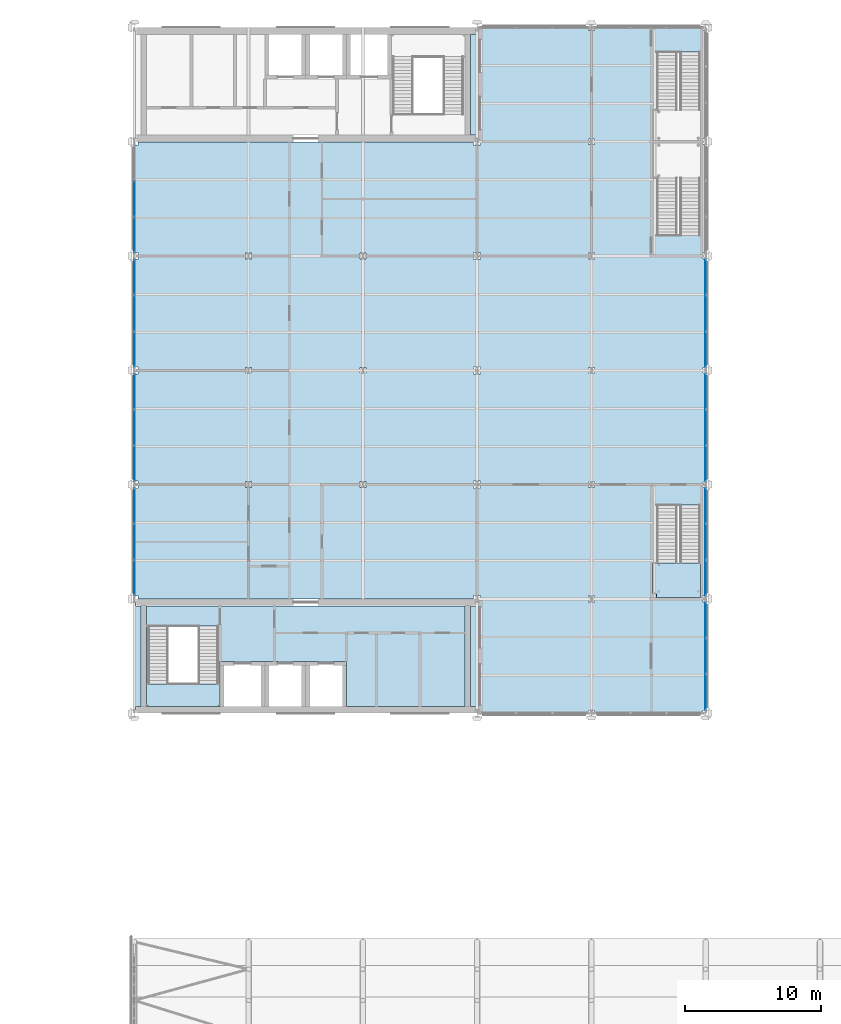
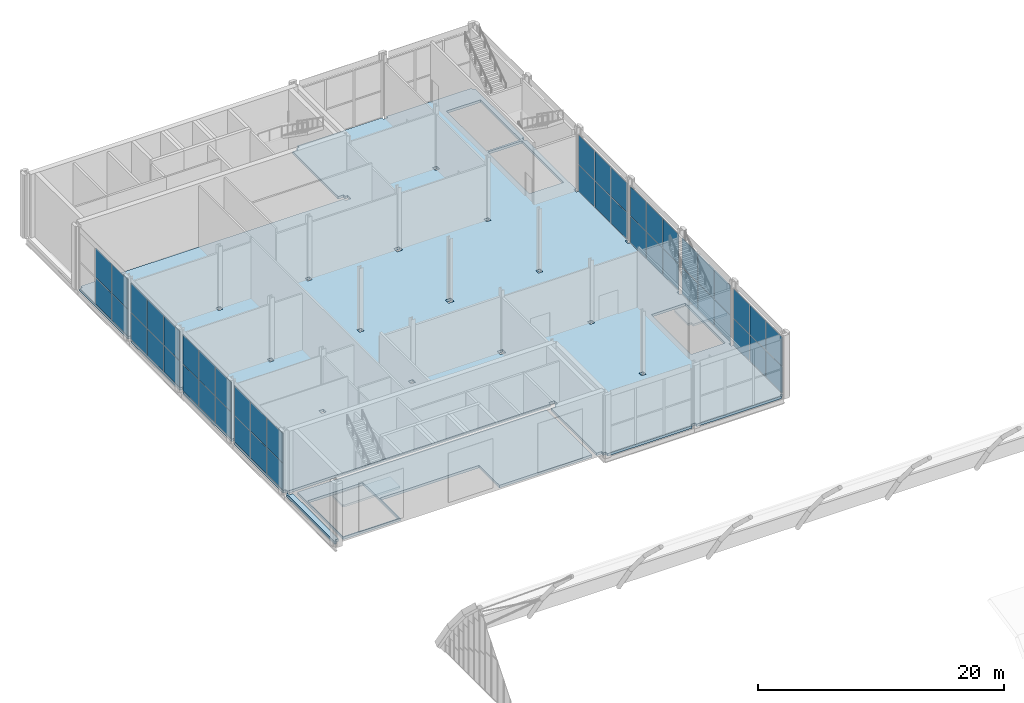
# One storey, part 60 of 77: 46 plates, 5 slabs, 10 elements without a shape of their own.
"""IFC4 building model written with IfcOpenShell, lengths in metres."""

from ifc_helpers import new_model, si_unit, direction, frame, origin, origin_2d, place, context, subcontext, project, spatial, polyline, rectangle, outline, extrude, material, layer, layer_set, type_object, element, aggregate, save


model = new_model("IFC4")

# Units and contexts
model_context = context("Model", 3, precision=1e-05, world=origin(), true_north=direction((0.0, 1.0)))
body_context = subcontext(model_context, "Body", "Model", "MODEL_VIEW")
ifc_project = project(units=[si_unit("LENGTHUNIT", "METRE"), si_unit("AREAUNIT", "SQUARE_METRE"), si_unit("VOLUMEUNIT", "CUBIC_METRE"), si_unit("PLANEANGLEUNIT", "RADIAN"), si_unit("MASSUNIT", "GRAM", prefix="KILO")], contexts=[model_context])

# Site, building, storey
site_placement = place(None, origin())
site = spatial("IfcSite", under=ifc_project, at=site_placement, CompositionType="ELEMENT")
building_placement = place(site_placement, origin())
building = spatial("IfcBuilding", under=site, at=building_placement, Name="Catenary Quay Ferry Terminal", CompositionType="ELEMENT")
storey_placement = place(building_placement, frame((0.0, 0.0, 10.800048828125)))
storey = spatial("IfcBuildingStorey", under=building, at=storey_placement, Name="L02", CompositionType="ELEMENT", Elevation=10.800048828125)

# Slabs
ifc_material_1 = material(Name="Concrete C35/45", Category="concrete")
ifc_layer_1 = layer(ifc_material_1, 0.25)
ifc_layer_set_1 = layer_set([ifc_layer_1], Name="Composite floor slab 250")
slab_type_1 = type_object("IfcSlabType", Name="Composite floor slab 250", PredefinedType="FLOOR", material=ifc_layer_set_1)
slab_1_placement = place(storey_placement, frame((0.0, 0.0, -0.25)))
element("IfcSlab", 1, at=slab_1_placement, inside=storey, type_object=slab_type_1, Name="L02 podium floor slab", PredefinedType="FLOOR", context=body_context, shape_type="SweptSolid", body=[
    extrude(outline(polyline([(67.199951171875, 159.81005859375), (66.989990234375, 159.81005859375), (66.989990234375, 159.60009765625), (59.010009765625, 159.60009765625), (59.010009765625, 159.81005859375), (58.590087890625, 159.81005859375), (58.590087890625, 159.60009765625), (50.659912109375, 159.60009765625), (50.659912109375, 159.860107421875), (50.403076171875, 159.860107421875), (50.403076171875, 160.110107421875), (49.909912109375, 160.110107421875), (49.909912109375, 167.489990234375), (50.403076171875, 167.489990234375), (50.403076171875, 167.739990234375), (50.659912109375, 167.739990234375), (50.659912109375, 168.260009765625), (50.139892578125, 168.260009765625), (50.139892578125, 168.010009765625), (25.4599609375, 168.010009765625), (25.4599609375, 168.260009765625), (25.199951171875, 168.260009765625), (25.199951171875, 176.139892578125), (25.4599609375, 176.139892578125), (25.4599609375, 176.659912109375), (25.199951171875, 176.659912109375), (25.199951171875, 184.5400390625), (25.4599609375, 184.5400390625), (25.4599609375, 185.06005859375), (25.199951171875, 185.06005859375), (25.199951171875, 192.93994140625), (25.4599609375, 192.93994140625), (25.4599609375, 193.4599609375), (25.199951171875, 193.4599609375), (25.199951171875, 201.340087890625), (25.4599609375, 201.340087890625), (25.4599609375, 201.590087890625), (50.139892578125, 201.590087890625), (50.139892578125, 201.340087890625), (50.659912109375, 201.340087890625), (50.659912109375, 201.860107421875), (50.403076171875, 201.860107421875), (50.403076171875, 202.110107421875), (49.909912109375, 202.110107421875), (49.909912109375, 209.489990234375), (50.403076171875, 209.489990234375), (50.403076171875, 209.739990234375), (50.659912109375, 209.739990234375), (50.659912109375, 210.0), (58.590087890625, 210.0), (58.590087890625, 209.7900390625), (59.010009765625, 209.7900390625), (59.010009765625, 210.0), (66.989990234375, 210.0), (66.989990234375, 209.7900390625), (67.199951171875, 209.7900390625), (67.199951171875, 201.81005859375), (66.989990234375, 201.81005859375), (66.989990234375, 201.389892578125), (67.199951171875, 201.389892578125), (67.199951171875, 193.409912109375), (66.989990234375, 193.409912109375), (66.989990234375, 192.989990234375), (67.199951171875, 192.989990234375), (67.199951171875, 185.010009765625), (66.989990234375, 185.010009765625), (66.989990234375, 184.590087890625), (67.199951171875, 184.590087890625), (67.199951171875, 176.610107421875), (66.989990234375, 176.610107421875), (66.989990234375, 176.18994140625), (67.199951171875, 176.18994140625), (67.199951171875, 168.2099609375), (66.989990234375, 168.2099609375), (66.989990234375, 167.7900390625), (67.199951171875, 167.7900390625), (67.199951171875, 159.81005859375)]), holes=[polyline([(33.386474609375, 176.1865234375), (33.8134765625, 176.1865234375), (33.8134765625, 176.613525390625), (33.386474609375, 176.613525390625), (33.386474609375, 176.1865234375)]), polyline([(33.386474609375, 184.58642578125), (33.8134765625, 184.58642578125), (33.8134765625, 185.013427734375), (33.386474609375, 185.013427734375), (33.386474609375, 184.58642578125)]), polyline([(33.386474609375, 192.986572265625), (33.8134765625, 192.986572265625), (33.8134765625, 193.41357421875), (33.386474609375, 193.41357421875), (33.386474609375, 192.986572265625)]), polyline([(41.78662109375, 176.1865234375), (42.21337890625, 176.1865234375), (42.21337890625, 176.613525390625), (41.78662109375, 176.613525390625), (41.78662109375, 176.1865234375)]), polyline([(50.139892578125, 176.139892578125), (50.659912109375, 176.139892578125), (50.659912109375, 176.659912109375), (50.139892578125, 176.659912109375), (50.139892578125, 176.139892578125)]), polyline([(41.78662109375, 184.58642578125), (42.21337890625, 184.58642578125), (42.21337890625, 185.013427734375), (41.78662109375, 185.013427734375), (41.78662109375, 184.58642578125)]), polyline([(50.659912109375, 184.5400390625), (50.659912109375, 185.06005859375), (50.139892578125, 185.06005859375), (50.139892578125, 184.5400390625), (50.659912109375, 184.5400390625)]), polyline([(41.78662109375, 192.986572265625), (42.21337890625, 192.986572265625), (42.21337890625, 193.41357421875), (41.78662109375, 193.41357421875), (41.78662109375, 192.986572265625)]), polyline([(50.139892578125, 192.93994140625), (50.659912109375, 192.93994140625), (50.659912109375, 193.4599609375), (50.139892578125, 193.4599609375), (50.139892578125, 192.93994140625)]), polyline([(58.590087890625, 167.7900390625), (59.010009765625, 167.7900390625), (59.010009765625, 168.2099609375), (58.590087890625, 168.2099609375), (58.590087890625, 167.7900390625)]), polyline([(63.60009765625, 168.39990234375), (66.800048828125, 168.39990234375), (66.800048828125, 174.89990234375), (63.60009765625, 174.89990234375), (63.60009765625, 168.39990234375)]), polyline([(58.590087890625, 176.18994140625), (59.010009765625, 176.18994140625), (59.010009765625, 176.610107421875), (58.590087890625, 176.610107421875), (58.590087890625, 176.18994140625)]), polyline([(58.590087890625, 184.590087890625), (59.010009765625, 184.590087890625), (59.010009765625, 185.010009765625), (58.590087890625, 185.010009765625), (58.590087890625, 184.590087890625)]), polyline([(58.590087890625, 192.989990234375), (59.010009765625, 192.989990234375), (59.010009765625, 193.409912109375), (58.590087890625, 193.409912109375), (58.590087890625, 192.989990234375)]), polyline([(63.60009765625, 194.699951171875), (66.800048828125, 194.699951171875), (66.800048828125, 201.5), (63.60009765625, 201.5), (63.60009765625, 194.699951171875)]), polyline([(58.590087890625, 201.389892578125), (59.010009765625, 201.389892578125), (59.010009765625, 201.81005859375), (58.590087890625, 201.81005859375), (58.590087890625, 201.389892578125)]), polyline([(63.60009765625, 201.699951171875), (66.800048828125, 201.699951171875), (66.800048828125, 208.199951171875), (63.60009765625, 208.199951171875), (63.60009765625, 201.699951171875)])]), origin(), (0.0, 0.0, 1.0), 0.25),
])
slab_2_placement = place(storey_placement, frame((0.0, 0.0, -0.25)))
element("IfcSlab", 2, at=slab_2_placement, inside=storey, type_object=slab_type_1, Name="L02 podium floor slab", PredefinedType="FLOOR", context=body_context, shape_type="SweptSolid", body=[
    extrude(outline(polyline([(25.199951171875, 167.739990234375), (25.340087890625, 167.739990234375), (25.340087890625, 167.489990234375), (25.68994140625, 167.489990234375), (25.68994140625, 160.110107421875), (25.340087890625, 160.110107421875), (25.340087890625, 159.860107421875), (25.199951171875, 159.860107421875), (25.199951171875, 167.739990234375)])), origin(), (0.0, 0.0, 1.0), 0.25),
])
slab_3_placement = place(storey_placement, frame((0.0, 0.0, -0.25)))
element("IfcSlab", 3, at=slab_3_placement, inside=storey, type_object=slab_type_1, Name="L02 podium floor slab", PredefinedType="FLOOR", context=body_context, shape_type="SweptSolid", body=[
    extrude(outline(polyline([(31.5, 163.39990234375), (31.5, 160.110107421875), (26.110107421875, 160.110107421875), (26.110107421875, 167.489990234375), (49.489990234375, 167.489990234375), (49.489990234375, 160.110107421875), (40.800048828125, 160.110107421875), (40.800048828125, 163.39990234375), (37.800048828125, 163.39990234375), (34.800048828125, 163.39990234375), (31.5, 163.39990234375)]), holes=[polyline([(31.39990234375, 160.199951171875), (31.39990234375, 166.0), (26.199951171875, 166.0), (26.199951171875, 160.199951171875), (31.39990234375, 160.199951171875)])]), origin(), (0.0, 0.0, 1.0), 0.25),
])

# Curtain wall, plates
ifc_material_2 = material(Name="Aluminium and glass", Category="aluminium")
curtain_wall_type = type_object("IfcCurtainWallType", Name="CWW2", PredefinedType="NOTDEFINED", material=ifc_material_2)
curtain_wall_1_placement = place(storey_placement, origin())
curtain_wall_1 = element("IfcCurtainWall", 4, at=curtain_wall_1_placement, inside=storey, type_object=curtain_wall_type, Name="Wing curtain wall CW130", PredefinedType="NOTDEFINED")
ifc_material_3 = material(Name="Glass", Category="glass")
ifc_layer_2 = layer(ifc_material_3, 0.035888671875)
ifc_layer_set_2 = layer_set([ifc_layer_2], Name="PN4")
plate_type = type_object("IfcPlateType", Name="PN4", PredefinedType="CURTAIN_PANEL", material=ifc_layer_set_2)
plate_1_placement = place(storey_placement, frame((67.199951171875, 161.15087890625, 0.06005859375), z_axis=(0.0, 0.0, 1.0), x_axis=(0.0, 1.0, 0.0)))
plate_1 = element("IfcPlate", 5, at=plate_1_placement, type_object=plate_type, Name="CW130 panel 1.1", PredefinedType="CURTAIN_PANEL", context=body_context, shape_type="SweptSolid", body=[
    extrude(rectangle(XDim=2.561767578125, YDim=0.035888671875, at=origin_2d()), origin(), (0.0, 0.0, 1.0), 2.610107421875),
])
plate_2_placement = place(storey_placement, frame((67.199951171875, 161.15087890625, 2.72998046875), z_axis=(0.0, 0.0, 1.0), x_axis=(0.0, 1.0, 0.0)))
plate_2 = element("IfcPlate", 6, at=plate_2_placement, type_object=plate_type, Name="CW130 panel 1.2", PredefinedType="CURTAIN_PANEL", context=body_context, shape_type="SweptSolid", body=[
    extrude(rectangle(XDim=2.561767578125, YDim=0.035888671875, at=origin_2d()), origin(), (0.0, 0.0, 1.0), 2.909912109375),
])
plate_3_placement = place(storey_placement, frame((67.199951171875, 163.800048828125, 0.06005859375), z_axis=(0.0, 0.0, 1.0), x_axis=(0.0, 1.0, 0.0)))
plate_3 = element("IfcPlate", 7, at=plate_3_placement, type_object=plate_type, Name="CW130 panel 2.1", PredefinedType="CURTAIN_PANEL", context=body_context, shape_type="SweptSolid", body=[
    extrude(rectangle(XDim=2.5966796875, YDim=0.035888671875, at=origin_2d()), origin(), (0.0, 0.0, 1.0), 2.610107421875),
])
plate_4_placement = place(storey_placement, frame((67.199951171875, 163.800048828125, 2.72998046875), z_axis=(0.0, 0.0, 1.0), x_axis=(0.0, 1.0, 0.0)))
plate_4 = element("IfcPlate", 8, at=plate_4_placement, type_object=plate_type, Name="CW130 panel 2.2", PredefinedType="CURTAIN_PANEL", context=body_context, shape_type="SweptSolid", body=[
    extrude(rectangle(XDim=2.5966796875, YDim=0.035888671875, at=origin_2d()), origin(), (0.0, 0.0, 1.0), 2.909912109375),
])
plate_5_placement = place(storey_placement, frame((67.199951171875, 166.44921875, 0.06005859375), z_axis=(0.0, 0.0, 1.0), x_axis=(0.0, 1.0, 0.0)))
plate_5 = element("IfcPlate", 9, at=plate_5_placement, type_object=plate_type, Name="CW130 panel 3.1", PredefinedType="CURTAIN_PANEL", context=body_context, shape_type="SweptSolid", body=[
    extrude(rectangle(XDim=2.561767578125, YDim=0.035888671875, at=origin_2d()), origin(), (0.0, 0.0, 1.0), 2.610107421875),
])
plate_6_placement = place(storey_placement, frame((67.199951171875, 166.44921875, 2.72998046875), z_axis=(0.0, 0.0, 1.0), x_axis=(0.0, 1.0, 0.0)))
plate_6 = element("IfcPlate", 10, at=plate_6_placement, type_object=plate_type, Name="CW130 panel 3.2", PredefinedType="CURTAIN_PANEL", context=body_context, shape_type="SweptSolid", body=[
    extrude(rectangle(XDim=2.561767578125, YDim=0.035888671875, at=origin_2d()), origin(), (0.0, 0.0, 1.0), 2.909912109375),
])
aggregate(curtain_wall_1, [plate_1, plate_2, plate_3, plate_4, plate_5, plate_6])

curtain_wall_2_placement = place(storey_placement, origin())
curtain_wall_2 = element("IfcCurtainWall", 11, at=curtain_wall_2_placement, inside=storey, type_object=curtain_wall_type, Name="Wing curtain wall CW131", PredefinedType="NOTDEFINED")
plate_7_placement = place(storey_placement, frame((67.199951171875, 169.55078125, 0.06005859375), z_axis=(0.0, 0.0, 1.0), x_axis=(0.0, 1.0, 0.0)))
plate_7 = element("IfcPlate", 12, at=plate_7_placement, type_object=plate_type, Name="CW131 panel 1.1", PredefinedType="CURTAIN_PANEL", context=body_context, shape_type="SweptSolid", body=[
    extrude(rectangle(XDim=2.561767578125, YDim=0.035888671875, at=origin_2d()), origin(), (0.0, 0.0, 1.0), 2.610107421875),
])
plate_8_placement = place(storey_placement, frame((67.199951171875, 169.55078125, 2.72998046875), z_axis=(0.0, 0.0, 1.0), x_axis=(0.0, 1.0, 0.0)))
plate_8 = element("IfcPlate", 13, at=plate_8_placement, type_object=plate_type, Name="CW131 panel 1.2", PredefinedType="CURTAIN_PANEL", context=body_context, shape_type="SweptSolid", body=[
    extrude(rectangle(XDim=2.561767578125, YDim=0.035888671875, at=origin_2d()), origin(), (0.0, 0.0, 1.0), 2.909912109375),
])
plate_9_placement = place(storey_placement, frame((67.199951171875, 172.199951171875, 0.06005859375), z_axis=(0.0, 0.0, 1.0), x_axis=(0.0, 1.0, 0.0)))
plate_9 = element("IfcPlate", 14, at=plate_9_placement, type_object=plate_type, Name="CW131 panel 2.1", PredefinedType="CURTAIN_PANEL", context=body_context, shape_type="SweptSolid", body=[
    extrude(rectangle(XDim=2.5966796875, YDim=0.035888671875, at=origin_2d()), origin(), (0.0, 0.0, 1.0), 2.610107421875),
])
plate_10_placement = place(storey_placement, frame((67.199951171875, 172.199951171875, 2.72998046875), z_axis=(0.0, 0.0, 1.0), x_axis=(0.0, 1.0, 0.0)))
plate_10 = element("IfcPlate", 15, at=plate_10_placement, type_object=plate_type, Name="CW131 panel 2.2", PredefinedType="CURTAIN_PANEL", context=body_context, shape_type="SweptSolid", body=[
    extrude(rectangle(XDim=2.5966796875, YDim=0.035888671875, at=origin_2d()), origin(), (0.0, 0.0, 1.0), 2.909912109375),
])
plate_11_placement = place(storey_placement, frame((67.199951171875, 174.84912109375, 0.06005859375), z_axis=(0.0, 0.0, 1.0), x_axis=(0.0, 1.0, 0.0)))
plate_11 = element("IfcPlate", 16, at=plate_11_placement, type_object=plate_type, Name="CW131 panel 3.1", PredefinedType="CURTAIN_PANEL", context=body_context, shape_type="SweptSolid", body=[
    extrude(rectangle(XDim=2.561767578125, YDim=0.035888671875, at=origin_2d()), origin(), (0.0, 0.0, 1.0), 2.610107421875),
])
plate_12_placement = place(storey_placement, frame((67.199951171875, 174.84912109375, 2.72998046875), z_axis=(0.0, 0.0, 1.0), x_axis=(0.0, 1.0, 0.0)))
plate_12 = element("IfcPlate", 17, at=plate_12_placement, type_object=plate_type, Name="CW131 panel 3.2", PredefinedType="CURTAIN_PANEL", context=body_context, shape_type="SweptSolid", body=[
    extrude(rectangle(XDim=2.561767578125, YDim=0.035888671875, at=origin_2d()), origin(), (0.0, 0.0, 1.0), 2.909912109375),
])
aggregate(curtain_wall_2, [plate_7, plate_8, plate_9, plate_10, plate_11, plate_12])

curtain_wall_3_placement = place(storey_placement, origin())
curtain_wall_3 = element("IfcCurtainWall", 18, at=curtain_wall_3_placement, inside=storey, type_object=curtain_wall_type, Name="Wing curtain wall CW132", PredefinedType="NOTDEFINED")
plate_13_placement = place(storey_placement, frame((67.199951171875, 177.950927734375, 0.06005859375), z_axis=(0.0, 0.0, 1.0), x_axis=(0.0, 1.0, 0.0)))
plate_13 = element("IfcPlate", 19, at=plate_13_placement, type_object=plate_type, Name="CW132 panel 1.1", PredefinedType="CURTAIN_PANEL", context=body_context, shape_type="SweptSolid", body=[
    extrude(rectangle(XDim=2.561767578125, YDim=0.035888671875, at=origin_2d()), origin(), (0.0, 0.0, 1.0), 2.610107421875),
])
plate_14_placement = place(storey_placement, frame((67.199951171875, 177.950927734375, 2.72998046875), z_axis=(0.0, 0.0, 1.0), x_axis=(0.0, 1.0, 0.0)))
plate_14 = element("IfcPlate", 20, at=plate_14_placement, type_object=plate_type, Name="CW132 panel 1.2", PredefinedType="CURTAIN_PANEL", context=body_context, shape_type="SweptSolid", body=[
    extrude(rectangle(XDim=2.561767578125, YDim=0.035888671875, at=origin_2d()), origin(), (0.0, 0.0, 1.0), 2.909912109375),
])
plate_15_placement = place(storey_placement, frame((67.199951171875, 180.60009765625, 0.06005859375), z_axis=(0.0, 0.0, 1.0), x_axis=(0.0, 1.0, 0.0)))
plate_15 = element("IfcPlate", 21, at=plate_15_placement, type_object=plate_type, Name="CW132 panel 2.1", PredefinedType="CURTAIN_PANEL", context=body_context, shape_type="SweptSolid", body=[
    extrude(rectangle(XDim=2.5966796875, YDim=0.035888671875, at=origin_2d()), origin(), (0.0, 0.0, 1.0), 2.610107421875),
])
plate_16_placement = place(storey_placement, frame((67.199951171875, 180.60009765625, 2.72998046875), z_axis=(0.0, 0.0, 1.0), x_axis=(0.0, 1.0, 0.0)))
plate_16 = element("IfcPlate", 22, at=plate_16_placement, type_object=plate_type, Name="CW132 panel 2.2", PredefinedType="CURTAIN_PANEL", context=body_context, shape_type="SweptSolid", body=[
    extrude(rectangle(XDim=2.5966796875, YDim=0.035888671875, at=origin_2d()), origin(), (0.0, 0.0, 1.0), 2.909912109375),
])
plate_17_placement = place(storey_placement, frame((67.199951171875, 183.249267578125, 0.06005859375), z_axis=(0.0, 0.0, 1.0), x_axis=(0.0, 1.0, 0.0)))
plate_17 = element("IfcPlate", 23, at=plate_17_placement, type_object=plate_type, Name="CW132 panel 3.1", PredefinedType="CURTAIN_PANEL", context=body_context, shape_type="SweptSolid", body=[
    extrude(rectangle(XDim=2.561767578125, YDim=0.035888671875, at=origin_2d()), origin(), (0.0, 0.0, 1.0), 2.610107421875),
])
plate_18_placement = place(storey_placement, frame((67.199951171875, 183.249267578125, 2.72998046875), z_axis=(0.0, 0.0, 1.0), x_axis=(0.0, 1.0, 0.0)))
plate_18 = element("IfcPlate", 24, at=plate_18_placement, type_object=plate_type, Name="CW132 panel 3.2", PredefinedType="CURTAIN_PANEL", context=body_context, shape_type="SweptSolid", body=[
    extrude(rectangle(XDim=2.561767578125, YDim=0.035888671875, at=origin_2d()), origin(), (0.0, 0.0, 1.0), 2.909912109375),
])
aggregate(curtain_wall_3, [plate_13, plate_14, plate_15, plate_16, plate_17, plate_18])

curtain_wall_4_placement = place(storey_placement, origin())
curtain_wall_4 = element("IfcCurtainWall", 25, at=curtain_wall_4_placement, inside=storey, type_object=curtain_wall_type, Name="Wing curtain wall CW133", PredefinedType="NOTDEFINED")
plate_19_placement = place(storey_placement, frame((67.199951171875, 186.350830078125, 0.06005859375), z_axis=(0.0, 0.0, 1.0), x_axis=(0.0, 1.0, 0.0)))
plate_19 = element("IfcPlate", 26, at=plate_19_placement, type_object=plate_type, Name="CW133 panel 1.1", PredefinedType="CURTAIN_PANEL", context=body_context, shape_type="SweptSolid", body=[
    extrude(rectangle(XDim=2.561767578125, YDim=0.035888671875, at=origin_2d()), origin(), (0.0, 0.0, 1.0), 2.610107421875),
])
plate_20_placement = place(storey_placement, frame((67.199951171875, 186.350830078125, 2.72998046875), z_axis=(0.0, 0.0, 1.0), x_axis=(0.0, 1.0, 0.0)))
plate_20 = element("IfcPlate", 27, at=plate_20_placement, type_object=plate_type, Name="CW133 panel 1.2", PredefinedType="CURTAIN_PANEL", context=body_context, shape_type="SweptSolid", body=[
    extrude(rectangle(XDim=2.561767578125, YDim=0.035888671875, at=origin_2d()), origin(), (0.0, 0.0, 1.0), 2.909912109375),
])
plate_21_placement = place(storey_placement, frame((67.199951171875, 189.0, 0.06005859375), z_axis=(0.0, 0.0, 1.0), x_axis=(0.0, 1.0, 0.0)))
plate_21 = element("IfcPlate", 28, at=plate_21_placement, type_object=plate_type, Name="CW133 panel 2.1", PredefinedType="CURTAIN_PANEL", context=body_context, shape_type="SweptSolid", body=[
    extrude(rectangle(XDim=2.5966796875, YDim=0.035888671875, at=origin_2d()), origin(), (0.0, 0.0, 1.0), 2.610107421875),
])
plate_22_placement = place(storey_placement, frame((67.199951171875, 189.0, 2.72998046875), z_axis=(0.0, 0.0, 1.0), x_axis=(0.0, 1.0, 0.0)))
plate_22 = element("IfcPlate", 29, at=plate_22_placement, type_object=plate_type, Name="CW133 panel 2.2", PredefinedType="CURTAIN_PANEL", context=body_context, shape_type="SweptSolid", body=[
    extrude(rectangle(XDim=2.5966796875, YDim=0.035888671875, at=origin_2d()), origin(), (0.0, 0.0, 1.0), 2.909912109375),
])
plate_23_placement = place(storey_placement, frame((67.199951171875, 191.649169921875, 0.06005859375), z_axis=(0.0, 0.0, 1.0), x_axis=(0.0, 1.0, 0.0)))
plate_23 = element("IfcPlate", 30, at=plate_23_placement, type_object=plate_type, Name="CW133 panel 3.1", PredefinedType="CURTAIN_PANEL", context=body_context, shape_type="SweptSolid", body=[
    extrude(rectangle(XDim=2.561767578125, YDim=0.035888671875, at=origin_2d()), origin(), (0.0, 0.0, 1.0), 2.610107421875),
])
plate_24_placement = place(storey_placement, frame((67.199951171875, 191.649169921875, 2.72998046875), z_axis=(0.0, 0.0, 1.0), x_axis=(0.0, 1.0, 0.0)))
plate_24 = element("IfcPlate", 31, at=plate_24_placement, type_object=plate_type, Name="CW133 panel 3.2", PredefinedType="CURTAIN_PANEL", context=body_context, shape_type="SweptSolid", body=[
    extrude(rectangle(XDim=2.561767578125, YDim=0.035888671875, at=origin_2d()), origin(), (0.0, 0.0, 1.0), 2.909912109375),
])
aggregate(curtain_wall_4, [plate_19, plate_20, plate_21, plate_22, plate_23, plate_24])

curtain_wall_5_placement = place(storey_placement, origin())
curtain_wall_5 = element("IfcCurtainWall", 32, at=curtain_wall_5_placement, inside=storey, type_object=curtain_wall_type, Name="Wing curtain wall CW138", PredefinedType="NOTDEFINED")
plate_25_placement = place(storey_placement, frame((25.199951171875, 169.55078125, 0.06005859375), z_axis=(0.0, 0.0, 1.0), x_axis=(0.0, 1.0, 0.0)))
plate_25 = element("IfcPlate", 33, at=plate_25_placement, type_object=plate_type, Name="CW138 panel 1.1", PredefinedType="CURTAIN_PANEL", context=body_context, shape_type="SweptSolid", body=[
    extrude(rectangle(XDim=2.561767578125, YDim=0.035888671875, at=origin_2d()), origin(), (0.0, 0.0, 1.0), 2.610107421875),
])
plate_26_placement = place(storey_placement, frame((25.199951171875, 169.55078125, 2.72998046875), z_axis=(0.0, 0.0, 1.0), x_axis=(0.0, 1.0, 0.0)))
plate_26 = element("IfcPlate", 34, at=plate_26_placement, type_object=plate_type, Name="CW138 panel 1.2", PredefinedType="CURTAIN_PANEL", context=body_context, shape_type="SweptSolid", body=[
    extrude(rectangle(XDim=2.561767578125, YDim=0.035888671875, at=origin_2d()), origin(), (0.0, 0.0, 1.0), 2.909912109375),
])
plate_27_placement = place(storey_placement, frame((25.199951171875, 172.199951171875, 0.06005859375), z_axis=(0.0, 0.0, 1.0), x_axis=(0.0, 1.0, 0.0)))
plate_27 = element("IfcPlate", 35, at=plate_27_placement, type_object=plate_type, Name="CW138 panel 2.1", PredefinedType="CURTAIN_PANEL", context=body_context, shape_type="SweptSolid", body=[
    extrude(rectangle(XDim=2.5966796875, YDim=0.035888671875, at=origin_2d()), origin(), (0.0, 0.0, 1.0), 2.610107421875),
])
plate_28_placement = place(storey_placement, frame((25.199951171875, 172.199951171875, 2.72998046875), z_axis=(0.0, 0.0, 1.0), x_axis=(0.0, 1.0, 0.0)))
plate_28 = element("IfcPlate", 36, at=plate_28_placement, type_object=plate_type, Name="CW138 panel 2.2", PredefinedType="CURTAIN_PANEL", context=body_context, shape_type="SweptSolid", body=[
    extrude(rectangle(XDim=2.5966796875, YDim=0.035888671875, at=origin_2d()), origin(), (0.0, 0.0, 1.0), 2.909912109375),
])
plate_29_placement = place(storey_placement, frame((25.199951171875, 174.84912109375, 0.06005859375), z_axis=(0.0, 0.0, 1.0), x_axis=(0.0, 1.0, 0.0)))
plate_29 = element("IfcPlate", 37, at=plate_29_placement, type_object=plate_type, Name="CW138 panel 3.1", PredefinedType="CURTAIN_PANEL", context=body_context, shape_type="SweptSolid", body=[
    extrude(rectangle(XDim=2.561767578125, YDim=0.035888671875, at=origin_2d()), origin(), (0.0, 0.0, 1.0), 2.610107421875),
])
plate_30_placement = place(storey_placement, frame((25.199951171875, 174.84912109375, 2.72998046875), z_axis=(0.0, 0.0, 1.0), x_axis=(0.0, 1.0, 0.0)))
plate_30 = element("IfcPlate", 38, at=plate_30_placement, type_object=plate_type, Name="CW138 panel 3.2", PredefinedType="CURTAIN_PANEL", context=body_context, shape_type="SweptSolid", body=[
    extrude(rectangle(XDim=2.561767578125, YDim=0.035888671875, at=origin_2d()), origin(), (0.0, 0.0, 1.0), 2.909912109375),
])
aggregate(curtain_wall_5, [plate_25, plate_26, plate_27, plate_28, plate_29, plate_30])

curtain_wall_6_placement = place(storey_placement, origin())
curtain_wall_6 = element("IfcCurtainWall", 39, at=curtain_wall_6_placement, inside=storey, type_object=curtain_wall_type, Name="Wing curtain wall CW139", PredefinedType="NOTDEFINED")
plate_31_placement = place(storey_placement, frame((25.199951171875, 177.950927734375, 0.06005859375), z_axis=(0.0, 0.0, 1.0), x_axis=(0.0, 1.0, 0.0)))
plate_31 = element("IfcPlate", 40, at=plate_31_placement, type_object=plate_type, Name="CW139 panel 1.1", PredefinedType="CURTAIN_PANEL", context=body_context, shape_type="SweptSolid", body=[
    extrude(rectangle(XDim=2.561767578125, YDim=0.035888671875, at=origin_2d()), origin(), (0.0, 0.0, 1.0), 2.610107421875),
])
plate_32_placement = place(storey_placement, frame((25.199951171875, 177.950927734375, 2.72998046875), z_axis=(0.0, 0.0, 1.0), x_axis=(0.0, 1.0, 0.0)))
plate_32 = element("IfcPlate", 41, at=plate_32_placement, type_object=plate_type, Name="CW139 panel 1.2", PredefinedType="CURTAIN_PANEL", context=body_context, shape_type="SweptSolid", body=[
    extrude(rectangle(XDim=2.561767578125, YDim=0.035888671875, at=origin_2d()), origin(), (0.0, 0.0, 1.0), 2.909912109375),
])
plate_33_placement = place(storey_placement, frame((25.199951171875, 180.60009765625, 0.06005859375), z_axis=(0.0, 0.0, 1.0), x_axis=(0.0, 1.0, 0.0)))
plate_33 = element("IfcPlate", 42, at=plate_33_placement, type_object=plate_type, Name="CW139 panel 2.1", PredefinedType="CURTAIN_PANEL", context=body_context, shape_type="SweptSolid", body=[
    extrude(rectangle(XDim=2.5966796875, YDim=0.035888671875, at=origin_2d()), origin(), (0.0, 0.0, 1.0), 2.610107421875),
])
plate_34_placement = place(storey_placement, frame((25.199951171875, 180.60009765625, 2.72998046875), z_axis=(0.0, 0.0, 1.0), x_axis=(0.0, 1.0, 0.0)))
plate_34 = element("IfcPlate", 43, at=plate_34_placement, type_object=plate_type, Name="CW139 panel 2.2", PredefinedType="CURTAIN_PANEL", context=body_context, shape_type="SweptSolid", body=[
    extrude(rectangle(XDim=2.5966796875, YDim=0.035888671875, at=origin_2d()), origin(), (0.0, 0.0, 1.0), 2.909912109375),
])
plate_35_placement = place(storey_placement, frame((25.199951171875, 183.249267578125, 0.06005859375), z_axis=(0.0, 0.0, 1.0), x_axis=(0.0, 1.0, 0.0)))
plate_35 = element("IfcPlate", 44, at=plate_35_placement, type_object=plate_type, Name="CW139 panel 3.1", PredefinedType="CURTAIN_PANEL", context=body_context, shape_type="SweptSolid", body=[
    extrude(rectangle(XDim=2.561767578125, YDim=0.035888671875, at=origin_2d()), origin(), (0.0, 0.0, 1.0), 2.610107421875),
])
plate_36_placement = place(storey_placement, frame((25.199951171875, 183.249267578125, 2.72998046875), z_axis=(0.0, 0.0, 1.0), x_axis=(0.0, 1.0, 0.0)))
plate_36 = element("IfcPlate", 45, at=plate_36_placement, type_object=plate_type, Name="CW139 panel 3.2", PredefinedType="CURTAIN_PANEL", context=body_context, shape_type="SweptSolid", body=[
    extrude(rectangle(XDim=2.561767578125, YDim=0.035888671875, at=origin_2d()), origin(), (0.0, 0.0, 1.0), 2.909912109375),
])
aggregate(curtain_wall_6, [plate_31, plate_32, plate_33, plate_34, plate_35, plate_36])

curtain_wall_7_placement = place(storey_placement, origin())
curtain_wall_7 = element("IfcCurtainWall", 46, at=curtain_wall_7_placement, inside=storey, type_object=curtain_wall_type, Name="Wing curtain wall CW140", PredefinedType="NOTDEFINED")
plate_37_placement = place(storey_placement, frame((25.199951171875, 186.350830078125, 0.06005859375), z_axis=(0.0, 0.0, 1.0), x_axis=(0.0, 1.0, 0.0)))
plate_37 = element("IfcPlate", 47, at=plate_37_placement, type_object=plate_type, Name="CW140 panel 1.1", PredefinedType="CURTAIN_PANEL", context=body_context, shape_type="SweptSolid", body=[
    extrude(rectangle(XDim=2.561767578125, YDim=0.035888671875, at=origin_2d()), origin(), (0.0, 0.0, 1.0), 2.610107421875),
])
plate_38_placement = place(storey_placement, frame((25.199951171875, 186.350830078125, 2.72998046875), z_axis=(0.0, 0.0, 1.0), x_axis=(0.0, 1.0, 0.0)))
plate_38 = element("IfcPlate", 48, at=plate_38_placement, type_object=plate_type, Name="CW140 panel 1.2", PredefinedType="CURTAIN_PANEL", context=body_context, shape_type="SweptSolid", body=[
    extrude(rectangle(XDim=2.561767578125, YDim=0.035888671875, at=origin_2d()), origin(), (0.0, 0.0, 1.0), 2.909912109375),
])
plate_39_placement = place(storey_placement, frame((25.199951171875, 189.0, 0.06005859375), z_axis=(0.0, 0.0, 1.0), x_axis=(0.0, 1.0, 0.0)))
plate_39 = element("IfcPlate", 49, at=plate_39_placement, type_object=plate_type, Name="CW140 panel 2.1", PredefinedType="CURTAIN_PANEL", context=body_context, shape_type="SweptSolid", body=[
    extrude(rectangle(XDim=2.5966796875, YDim=0.035888671875, at=origin_2d()), origin(), (0.0, 0.0, 1.0), 2.610107421875),
])
plate_40_placement = place(storey_placement, frame((25.199951171875, 189.0, 2.72998046875), z_axis=(0.0, 0.0, 1.0), x_axis=(0.0, 1.0, 0.0)))
plate_40 = element("IfcPlate", 50, at=plate_40_placement, type_object=plate_type, Name="CW140 panel 2.2", PredefinedType="CURTAIN_PANEL", context=body_context, shape_type="SweptSolid", body=[
    extrude(rectangle(XDim=2.5966796875, YDim=0.035888671875, at=origin_2d()), origin(), (0.0, 0.0, 1.0), 2.909912109375),
])
plate_41_placement = place(storey_placement, frame((25.199951171875, 191.649169921875, 0.06005859375), z_axis=(0.0, 0.0, 1.0), x_axis=(0.0, 1.0, 0.0)))
plate_41 = element("IfcPlate", 51, at=plate_41_placement, type_object=plate_type, Name="CW140 panel 3.1", PredefinedType="CURTAIN_PANEL", context=body_context, shape_type="SweptSolid", body=[
    extrude(rectangle(XDim=2.561767578125, YDim=0.035888671875, at=origin_2d()), origin(), (0.0, 0.0, 1.0), 2.610107421875),
])
plate_42_placement = place(storey_placement, frame((25.199951171875, 191.649169921875, 2.72998046875), z_axis=(0.0, 0.0, 1.0), x_axis=(0.0, 1.0, 0.0)))
plate_42 = element("IfcPlate", 52, at=plate_42_placement, type_object=plate_type, Name="CW140 panel 3.2", PredefinedType="CURTAIN_PANEL", context=body_context, shape_type="SweptSolid", body=[
    extrude(rectangle(XDim=2.561767578125, YDim=0.035888671875, at=origin_2d()), origin(), (0.0, 0.0, 1.0), 2.909912109375),
])
aggregate(curtain_wall_7, [plate_37, plate_38, plate_39, plate_40, plate_41, plate_42])

curtain_wall_8_placement = place(storey_placement, origin())
curtain_wall_8 = element("IfcCurtainWall", 53, at=curtain_wall_8_placement, inside=storey, type_object=curtain_wall_type, Name="Wing curtain wall CW141", PredefinedType="NOTDEFINED")
plate_43_placement = place(storey_placement, frame((25.199951171875, 194.750732421875, 0.06005859375), z_axis=(0.0, 0.0, 1.0), x_axis=(0.0, 1.0, 0.0)))
plate_43 = element("IfcPlate", 54, at=plate_43_placement, type_object=plate_type, Name="CW141 panel 1.1", PredefinedType="CURTAIN_PANEL", context=body_context, shape_type="SweptSolid", body=[
    extrude(rectangle(XDim=2.561767578125, YDim=0.035888671875, at=origin_2d()), origin(), (0.0, 0.0, 1.0), 2.610107421875),
])
plate_44_placement = place(storey_placement, frame((25.199951171875, 194.750732421875, 2.72998046875), z_axis=(0.0, 0.0, 1.0), x_axis=(0.0, 1.0, 0.0)))
plate_44 = element("IfcPlate", 55, at=plate_44_placement, type_object=plate_type, Name="CW141 panel 1.2", PredefinedType="CURTAIN_PANEL", context=body_context, shape_type="SweptSolid", body=[
    extrude(rectangle(XDim=2.561767578125, YDim=0.035888671875, at=origin_2d()), origin(), (0.0, 0.0, 1.0), 2.909912109375),
])
plate_45_placement = place(storey_placement, frame((25.199951171875, 197.39990234375, 0.06005859375), z_axis=(0.0, 0.0, 1.0), x_axis=(0.0, 1.0, 0.0)))
plate_45 = element("IfcPlate", 56, at=plate_45_placement, type_object=plate_type, Name="CW141 panel 2.1", PredefinedType="CURTAIN_PANEL", context=body_context, shape_type="SweptSolid", body=[
    extrude(rectangle(XDim=2.5966796875, YDim=0.035888671875, at=origin_2d()), origin(), (0.0, 0.0, 1.0), 2.610107421875),
])
plate_46_placement = place(storey_placement, frame((25.199951171875, 197.39990234375, 2.72998046875), z_axis=(0.0, 0.0, 1.0), x_axis=(0.0, 1.0, 0.0)))
plate_46 = element("IfcPlate", 57, at=plate_46_placement, type_object=plate_type, Name="CW141 panel 2.2", PredefinedType="CURTAIN_PANEL", context=body_context, shape_type="SweptSolid", body=[
    extrude(rectangle(XDim=2.5966796875, YDim=0.035888671875, at=origin_2d()), origin(), (0.0, 0.0, 1.0), 2.909912109375),
])
aggregate(curtain_wall_8, [plate_43, plate_44, plate_45, plate_46])

# Stair, slab
ifc_material_4 = material(Name="Concrete C35/45", Category="concrete")
stair_type = type_object("IfcStairType", Name="STX1500", PredefinedType="HALF_TURN_STAIR", material=ifc_material_4)
stair_1_placement = place(storey_placement, origin())
stair_1 = element("IfcStair", 58, at=stair_1_placement, inside=storey, type_object=stair_type, Name="Stair HS2 L02 to L03", PredefinedType="HALF_TURN_STAIR")
ifc_material_5 = material(Name="Concrete C35/45", Category="concrete")
ifc_layer_3 = layer(ifc_material_5, 0.199951171875)
ifc_layer_set_3 = layer_set([ifc_layer_3], Name="SLX1500")
slab_type_2 = type_object("IfcSlabType", Name="SLX1500", PredefinedType="LANDING", material=ifc_layer_set_3)
slab_4_placement = place(storey_placement, frame((0.0, 0.0, 2.949951171875)))
slab_4 = element("IfcSlab", 59, at=slab_4_placement, type_object=slab_type_2, Name="HS2-L02 landing 1", PredefinedType="LANDING", context=body_context, shape_type="SweptSolid", body=[
    extrude(outline(polyline([(26.199951171875, 160.10009765625), (26.199951171875, 160.199951171875), (26.10009765625, 160.199951171875), (26.10009765625, 161.75), (31.5, 161.75), (31.5, 160.199951171875), (31.39990234375, 160.199951171875), (31.39990234375, 160.10009765625), (26.199951171875, 160.10009765625)])), origin(), (0.0, 0.0, 1.0), 0.199951171875),
])
aggregate(stair_1, [slab_4])

stair_2_placement = place(storey_placement, origin())
stair_2 = element("IfcStair", 60, at=stair_2_placement, inside=storey, type_object=stair_type, Name="Stair HS3 L02 to L03", PredefinedType="HALF_TURN_STAIR")
slab_5_placement = place(storey_placement, frame((0.0, 0.0, 2.949951171875)))
slab_5 = element("IfcSlab", 61, at=slab_5_placement, type_object=slab_type_2, Name="HS3-L02 landing 1", PredefinedType="LANDING", context=body_context, shape_type="SweptSolid", body=[
    extrude(outline(polyline([(63.60009765625, 168.10009765625), (63.60009765625, 168.39990234375), (63.300048828125, 168.39990234375), (63.300048828125, 170.64990234375), (66.800048828125, 170.64990234375), (66.800048828125, 168.10009765625), (63.60009765625, 168.10009765625)])), origin(), (0.0, 0.0, 1.0), 0.199951171875),
])
aggregate(stair_2, [slab_5])

save(model, "model.ifc")
